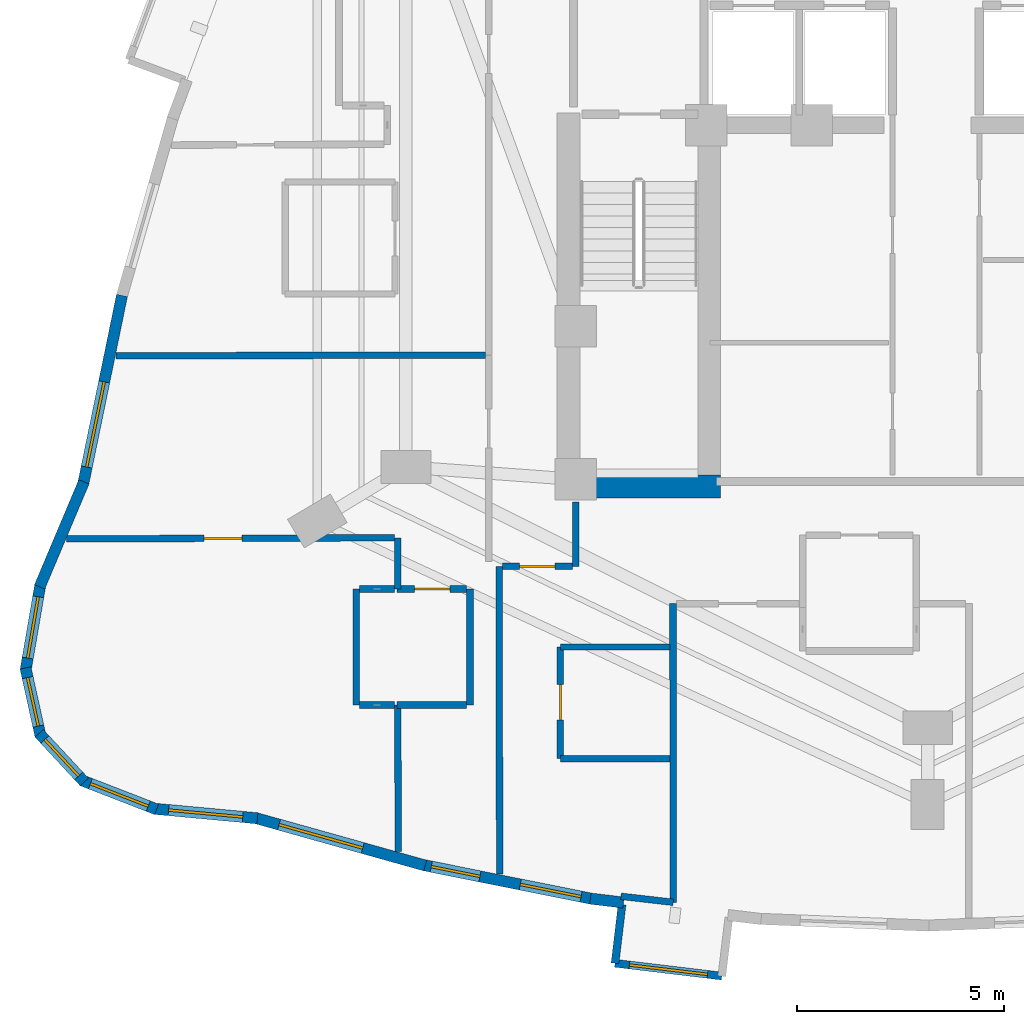
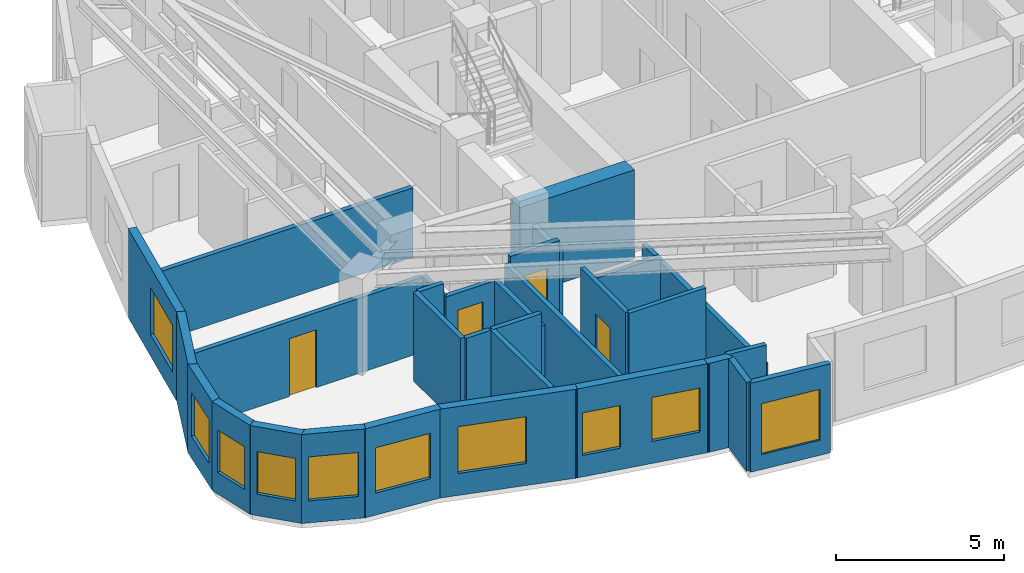
# One storey, part 8 of 14: 31 walls, 10 windows, 4 doors, 14 openings.
"""IFC4 building model written with IfcOpenShell, lengths in metres."""

import ifcopenshell
import ifcopenshell.guid

model = None  # the IFC model being written
_history = None  # IfcOwnerHistory: only IFC2X3 demands one
_inside = {}  # id of a spatial element -> (the spatial element, [elements in it])
_under = {}  # id of a project, library or spatial element -> (it, [spatial elements below it])
_declared = {}  # id of a project -> (the project, [libraries it declares])
_typed = {}  # id of a type object -> (the type object, [elements of that type])
_made_of = {}  # id of a material, layer set ... -> (it, [elements and type objects made of it])


def new_model(schema):
    """Start an empty IFC model of exactly this schema.

    Asked for "IFC4X3", IfcOpenShell would pick the latest addendum, in which some entities
    have other attributes; the version numbers below select the first issue.
    IFC2X3 requires an IfcOwnerHistory on every rooted entity: one is made here for all.
    """
    global model, _history
    if schema == "IFC4X3":
        model = ifcopenshell.file(schema_version=(4, 3, 0, 0))
    else:
        model = ifcopenshell.file(schema=schema)
    _inside.clear()
    _under.clear()
    _declared.clear()
    _typed.clear()
    _made_of.clear()
    _history = None
    if model.schema == "IFC2X3":
        org = make("IfcOrganization", Name="unknown")
        user = make(
            "IfcPersonAndOrganization",
            ThePerson=make("IfcPerson", FamilyName="unknown"),
            TheOrganization=org,
        )
        app = make(
            "IfcApplication",
            ApplicationDeveloper=org,
            Version="unknown",
            ApplicationFullName="unknown",
            ApplicationIdentifier="unknown",
        )
        _history = make(
            "IfcOwnerHistory",
            OwningUser=user,
            OwningApplication=app,
            ChangeAction="ADDED",
            CreationDate=0,
        )
    return model


def make(cls, **values):
    """One entity of the class cls with the attributes given. An attribute that is None is left unset."""
    return model.create_entity(
        cls, **{name: value for name, value in values.items() if value is not None}
    )


def rooted(cls, **values):
    """An entity with a GlobalId (a new one), such as an element, a storey or a relation."""
    return make(cls, GlobalId=ifcopenshell.guid.new(), OwnerHistory=_history, **values)


def si_unit(unit_type, name, prefix=None):
    """IfcSIUnit, for example si_unit("LENGTHUNIT", "METRE", prefix="MILLI")."""
    return make("IfcSIUnit", UnitType=unit_type, Prefix=prefix, Name=name)


def assignment(units):
    """IfcUnitAssignment: the units of a project."""
    return None if units is None else make("IfcUnitAssignment", Units=units)


def point(xyz):
    """IfcCartesianPoint."""
    return None if xyz is None else make("IfcCartesianPoint", Coordinates=xyz)


def direction(xyz):
    """IfcDirection."""
    return None if xyz is None else make("IfcDirection", DirectionRatios=xyz)


def frame(location, z_axis=None, x_axis=None):
    """IfcAxis2Placement3D, a coordinate frame: its origin and axes. An axis left out is left unset."""
    return make(
        "IfcAxis2Placement3D",
        Location=point(location),
        Axis=direction(z_axis),
        RefDirection=direction(x_axis),
    )


def frame_2d(location, x_axis=None):
    """IfcAxis2Placement2D, a coordinate frame in the plane: its origin and x axis."""
    return make(
        "IfcAxis2Placement2D", Location=point(location), RefDirection=direction(x_axis)
    )


def origin():
    """The frame at (0, 0, 0) with its axes left unset."""
    return frame((0.0, 0.0, 0.0))


def place(relative_to, where):
    """IfcLocalPlacement: puts the frame where relative to a parent placement (None: the world)."""
    return make(
        "IfcLocalPlacement", PlacementRelTo=relative_to, RelativePlacement=where
    )


def context(
    kind, dimensions, precision=None, world=None, true_north=None, identifier=None
):
    """IfcGeometricRepresentationContext, for example the 3D "Model" context."""
    return make(
        "IfcGeometricRepresentationContext",
        ContextIdentifier=identifier,
        ContextType=kind,
        CoordinateSpaceDimension=dimensions,
        Precision=precision,
        WorldCoordinateSystem=world,
        TrueNorth=true_north,
    )


def subcontext(parent, identifier, kind, view, scale=None):
    """IfcGeometricRepresentationSubContext, for example "Body" below "Model"."""
    return make(
        "IfcGeometricRepresentationSubContext",
        ContextIdentifier=identifier,
        ContextType=kind,
        ParentContext=parent,
        TargetScale=scale,
        TargetView=view,
    )


def project(units=None, contexts=None):
    """IfcProject with its units and contexts."""
    return rooted(
        "IfcProject",
        Name="project",
        RepresentationContexts=contexts,
        UnitsInContext=assignment(units),
    )


def spatial(cls, under=None, at=None, **own):
    """A site, building, storey or space (cls), placed at a placement, below another one or the project."""
    s = rooted(cls, ObjectPlacement=at, **own)
    if under is not None:
        _under.setdefault(under.id(), (under, []))[1].append(s)
    return s


def profile(cls, at=None, kind="AREA", **sizes):
    """A parametric profile (cls). Its sizes go by their IFC names, for example OverallWidth=200.0."""
    return make(cls, ProfileType=kind, Position=at, **sizes)


def rectangle(**sizes):
    """IfcRectangleProfileDef."""
    return profile("IfcRectangleProfileDef", **sizes)


def extrude(swept, where, along, depth):
    """IfcExtrudedAreaSolid: the profile swept, set in the frame where, extruded along a direction by depth."""
    return make(
        "IfcExtrudedAreaSolid",
        SweptArea=swept,
        Position=where,
        ExtrudedDirection=direction(along),
        Depth=depth,
    )


def shape(context_of_items, identifier, shape_type, items):
    """IfcShapeRepresentation: the items that make up one representation, for example the "Body"."""
    return make(
        "IfcShapeRepresentation",
        ContextOfItems=context_of_items,
        RepresentationIdentifier=identifier,
        RepresentationType=shape_type,
        Items=items,
    )


def material(Name=None, Category=None):
    """IfcMaterial."""
    return make("IfcMaterial", Name=Name, Category=Category)


def layer(
    of_material, thickness, ventilated=None, Name=None, Category=None, Priority=None
):
    """IfcMaterialLayer: one layer of a wall or slab, of a material (None: an air gap)."""
    return make(
        "IfcMaterialLayer",
        Material=of_material,
        LayerThickness=thickness,
        IsVentilated=ventilated,
        Name=Name,
        Category=Category,
        Priority=Priority,
    )


def layer_set(layers, Name=None):
    """IfcMaterialLayerSet."""
    return make("IfcMaterialLayerSet", MaterialLayers=layers, LayerSetName=Name)


def made_of(thing, what):
    """Note that an element or type object is made of a material, layer set ...; save() writes the relation."""
    if what is not None:
        _made_of.setdefault(what.id(), (what, []))[1].append(thing)
    return thing


def type_object(cls, material=None, **own):
    """A type object (cls), such as IfcWallType, which elements share."""
    return made_of(rooted(cls, **own), material)


def element(
    cls,
    number,
    at=None,
    inside=None,
    cuts=None,
    type_object=None,
    material=None,
    context=None,
    identifier="Body",
    shape_type=None,
    held_by="IfcProductDefinitionShape",
    body=None,
    shapes=None,
    **own,
):
    """One element of the class cls, such as IfcWall. Its Tag is "e" and its number.

    at: its placement. inside: the storey or other place that contains it. cuts: it is an
    opening in that element (IfcRelVoidsElement). A single representation is given by context,
    identifier, shape_type and body (its items); several are given by shapes. held_by: the class
    of the entity that holds the representations. save() writes the other relations.
    """
    e = rooted(cls, Tag="e%d" % number, ObjectPlacement=at, **own)
    if body is not None:
        shapes = [shape(context, identifier, shape_type, body)]
    if shapes is not None:
        e.Representation = make(held_by, Representations=shapes)
    if inside is not None:
        _inside.setdefault(inside.id(), (inside, []))[1].append(e)
    if cuts is not None:
        rooted(
            "IfcRelVoidsElement", RelatingBuildingElement=cuts, RelatedOpeningElement=e
        )
    if type_object is not None:
        _typed.setdefault(type_object.id(), (type_object, []))[1].append(e)
    return made_of(e, material)


def fill(opening, filler):
    """IfcRelFillsElement: the door or window that sits in an opening."""
    return rooted(
        "IfcRelFillsElement",
        RelatingOpeningElement=opening,
        RelatedBuildingElement=filler,
    )


def aggregate(whole, parts):
    """IfcRelAggregates: a whole, such as a stair, and the parts it consists of."""
    return rooted("IfcRelAggregates", RelatingObject=whole, RelatedObjects=parts)


def save(model, path):
    """Write the relations noted so far, then the file.

    IfcRelAggregates (storeys below a building ...), IfcRelContainedInSpatialStructure (elements
    in a storey), IfcRelDefinesByType, IfcRelAssociatesMaterial and IfcRelDeclares: one each for
    every whole, place, type object, material and project.
    """
    for whole, parts in _under.values():
        aggregate(whole, parts)
    for where, things in _inside.values():
        rooted(
            "IfcRelContainedInSpatialStructure",
            RelatedElements=things,
            RelatingStructure=where,
        )
    for kind, things in _typed.values():
        rooted("IfcRelDefinesByType", RelatedObjects=things, RelatingType=kind)
    for what, things in _made_of.values():
        rooted("IfcRelAssociatesMaterial", RelatedObjects=things, RelatingMaterial=what)
    for by, libraries in _declared.values():
        rooted("IfcRelDeclares", RelatingContext=by, RelatedDefinitions=libraries)
    model.write(path)


model = new_model("IFC4")

# Units and contexts
model_context = context("Model", 3, precision=1e-05, world=origin(), true_north=direction((0.0, 1.0)))
body_context = subcontext(model_context, "Body", "Model", "MODEL_VIEW")
ifc_project = project(units=[si_unit("LENGTHUNIT", "METRE"), si_unit("AREAUNIT", "SQUARE_METRE"), si_unit("VOLUMEUNIT", "CUBIC_METRE"), si_unit("PLANEANGLEUNIT", "RADIAN"), si_unit("MASSUNIT", "GRAM", prefix="KILO")], contexts=[model_context])

# Site, building, storey
site_placement = place(None, origin())
site = spatial("IfcSite", under=ifc_project, at=site_placement, CompositionType="ELEMENT")
building_placement = place(site_placement, origin())
building = spatial("IfcBuilding", under=site, at=building_placement, Name="Miruveldt Soraemaru", CompositionType="ELEMENT")
storey_placement = place(building_placement, frame((0.0, 0.0, 131.89990234375)))
storey = spatial("IfcBuildingStorey", under=building, at=storey_placement, Name="L36", CompositionType="ELEMENT", Elevation=131.89990234375)

# Wall
ifc_material_1 = material(Name="White powder-coated aluminium EN AW-6060 T6", Category="aluminium")
ifc_layer_1 = layer(ifc_material_1, 0.18994140625, Name="White powder-coated aluminium EN AW-6060 T6", Category="aluminium")
ifc_layer_set_1 = layer_set([ifc_layer_1], Name="White powder-coated aluminium EN AW-6060 T6")
wall_type_1 = type_object("IfcWallType", Name="WALL-BAY-ALU190", PredefinedType="SOLIDWALL", material=ifc_layer_set_1)
wall_1_placement = place(storey_placement, frame((36.619873046875, 25.2275390625, 0.0), z_axis=(0.0, 0.0, 1.0), x_axis=(-0.119077659317, -0.992884943511, 0.0)))
element("IfcWall", 1, at=wall_1_placement, inside=storey, type_object=wall_type_1, Name="L36 Bay Window Side Cheek 3L", PredefinedType="SOLIDWALL", context=body_context, shape_type="SweptSolid", body=[
    extrude(rectangle(XDim=1.425048828125, YDim=0.18994140625, at=frame_2d((0.71240234375, 0.0))), origin(), (0.0, 0.0, 1.0), 3.235107421875),
])

# Wall, opening, window
wall_2_placement = place(storey_placement, frame((36.4501953125, 23.812744140625, 0.0), z_axis=(0.0, 0.0, 1.0), x_axis=(0.992874172121, -0.119167438232, 0.0)))
wall_2 = element("IfcWall", 2, at=wall_2_placement, inside=storey, type_object=wall_type_1, Name="L36 Bay Window Front Frame 3", PredefinedType="SOLIDWALL", context=body_context, shape_type="SweptSolid", body=[
    extrude(rectangle(XDim=2.599853515625, YDim=0.18994140625, at=frame_2d((1.2998046875, 0.0))), origin(), (0.0, 0.0, 1.0), 3.235107421875),
])
opening_1_placement = place(wall_2_placement, frame((0.35009765625, 0.0, 0.550048828125)))
opening_1 = element("IfcOpeningElement", 3, at=opening_1_placement, cuts=wall_2, Name="Opening WN-6", PredefinedType="OPENING", context=body_context, shape_type="SweptSolid", body=[
    extrude(rectangle(XDim=1.89990234375, YDim=1.85009765625, at=frame_2d((0.949951171875, 0.925048828125))), frame((0.0, 0.10498046875, 0.0), z_axis=(0.0, -1.0, 0.0), x_axis=(1.0, 0.0, 0.0)), (0.0, 0.0, 1.0), 0.2099609375),
])
ifc_material_2 = material(Name="Triple low-e insulated glazing", Category="glass")
window_type_1 = type_object("IfcWindowType", Name="WIN-BAYW-1900x1850", PartitioningType="SINGLE_PANEL", PredefinedType="WINDOW", material=ifc_material_2)
window_1_placement = place(opening_1_placement, origin())
window_1 = element("IfcWindow", 4, at=window_1_placement, inside=storey, type_object=window_type_1, Name="L36 Projecting Bay Window 3", OverallHeight=1.85009765625, OverallWidth=1.89990234375, PartitioningType="SINGLE_PANEL", PredefinedType="WINDOW", context=body_context, shape_type="SweptSolid", body=[
    extrude(rectangle(XDim=1.89990234375, YDim=1.85009765625, at=frame_2d((0.949951171875, 0.925048828125))), frame((0.0, 0.030029296875, 0.0), z_axis=(0.0, -1.0, 0.0), x_axis=(1.0, 0.0, 0.0)), (0.0, 0.0, 1.0), 0.06005859375),
])
fill(opening_1, window_1)

# Wall
ifc_material_3 = material(Name="Concrete C70/85 (70 MPa)", Category="concrete")
ifc_layer_2 = layer(ifc_material_3, 0.550048828125, Name="Concrete C70/85 (70 MPa)", Category="concrete")
ifc_layer_set_2 = layer_set([ifc_layer_2], Name="Concrete C70/85 (70 MPa)")
wall_type_2 = type_object("IfcWallType", Name="WALL-CW-550", PredefinedType="SHEAR", material=ifc_layer_set_2)
wall_3_placement = place(storey_placement, frame((35.050048828125, 35.324951171875, 0.0), z_axis=(0.0, 0.0, 1.0), x_axis=(1.0, 0.0, 0.0)))
element("IfcWall", 5, at=wall_3_placement, inside=storey, type_object=wall_type_2, Name="L36 Central Core Shear Wall S1", PredefinedType="SHEAR", context=body_context, shape_type="SweptSolid", body=[
    extrude(rectangle(XDim=3.949951171875, YDim=0.550048828125, at=frame_2d((1.97509765625, 0.0))), origin(), (0.0, 0.0, 1.0), 3.235107421875),
])

# Wall, opening, window
ifc_material_4 = material(Name="Precast concrete C45/55 (45 MPa)", Category="concrete")
ifc_layer_3 = layer(ifc_material_4, 0.27001953125, Name="Precast concrete C45/55 (45 MPa)", Category="concrete")
ifc_layer_set_3 = layer_set([ifc_layer_3], Name="Precast concrete C45/55 (45 MPa)")
wall_type_3 = type_object("IfcWallType", Name="WALL-EXT-PC270", PredefinedType="SOLIDWALL", material=ifc_layer_set_3)
wall_4_placement = place(storey_placement, frame((24.541748046875, 39.943359375, 0.0), z_axis=(0.0, 0.0, 1.0), x_axis=(-0.201567284441, -0.979474670343, 0.0)))
wall_4 = element("IfcWall", 6, at=wall_4_placement, inside=storey, type_object=wall_type_3, Name="L36 Precast Concrete Facade Wall 14", PredefinedType="SOLIDWALL", context=body_context, shape_type="SweptSolid", body=[
    extrude(rectangle(XDim=4.66552734375, YDim=0.27001953125, at=frame_2d((2.332763671875, 0.0))), origin(), (0.0, 0.0, 1.0), 3.235107421875),
])
opening_2_placement = place(wall_4_placement, frame((2.131103515625, 0.0, 0.800048828125)))
opening_2 = element("IfcOpeningElement", 7, at=opening_2_placement, cuts=wall_4, Name="Opening WN-1", PredefinedType="OPENING", context=body_context, shape_type="SweptSolid", body=[
    extrude(rectangle(XDim=2.10009765625, YDim=1.699951171875, at=frame_2d((1.050048828125, 0.85009765625))), frame((0.0, 0.14501953125, 0.0), z_axis=(0.0, -1.0, 0.0), x_axis=(1.0, 0.0, 0.0)), (0.0, 0.0, 1.0), 0.2900390625),
])
window_type_2 = type_object("IfcWindowType", Name="WIN-PUNCH-2100x1700", PartitioningType="SINGLE_PANEL", PredefinedType="WINDOW", material=ifc_material_2)
window_2_placement = place(opening_2_placement, origin())
window_2 = element("IfcWindow", 8, at=window_2_placement, inside=storey, type_object=window_type_2, Name="L36 Punched Triple-Glazed Window 14.1", OverallHeight=1.699951171875, OverallWidth=2.10009765625, PartitioningType="SINGLE_PANEL", PredefinedType="WINDOW", context=body_context, shape_type="SweptSolid", body=[
    extrude(rectangle(XDim=2.10009765625, YDim=1.699951171875, at=frame_2d((1.050048828125, 0.85009765625))), frame((0.0, 0.030029296875, 0.0), z_axis=(0.0, -1.0, 0.0), x_axis=(1.0, 0.0, 0.0)), (0.0, 0.0, 1.0), 0.06005859375),
])
fill(opening_2, window_2)

# Wall
wall_5_placement = place(storey_placement, frame((23.621826171875, 35.440185546875, 0.0), z_axis=(0.0, 0.0, 1.0), x_axis=(-0.388604046784, -0.921404848491, 0.0)))
element("IfcWall", 9, at=wall_5_placement, inside=storey, type_object=wall_type_3, Name="L36 Precast Concrete Facade Wall 15", PredefinedType="SOLIDWALL", context=body_context, shape_type="SweptSolid", body=[
    extrude(rectangle(XDim=2.7529296875, YDim=0.27001953125, at=frame_2d((1.37646484375, 0.0))), origin(), (0.0, 0.0, 1.0), 3.235107421875),
])

# Wall, opening, window
wall_6_placement = place(storey_placement, frame((22.571533203125, 32.97021484375, 0.0), z_axis=(0.0, 0.0, 1.0), x_axis=(-0.169321385443, -0.985560890271, 0.0)))
wall_6 = element("IfcWall", 10, at=wall_6_placement, inside=storey, type_object=wall_type_3, Name="L36 Precast Concrete Facade Wall 16", PredefinedType="SOLIDWALL", context=body_context, shape_type="SweptSolid", body=[
    extrude(rectangle(XDim=2.12255859375, YDim=0.27001953125, at=frame_2d((1.061279296875, 0.0))), origin(), (0.0, 0.0, 1.0), 3.235107421875),
])
opening_3_placement = place(wall_6_placement, frame((0.31103515625, 0.0, 0.800048828125)))
opening_3 = element("IfcOpeningElement", 11, at=opening_3_placement, cuts=wall_6, Name="Opening WN-3", PredefinedType="OPENING", context=body_context, shape_type="SweptSolid", body=[
    extrude(rectangle(XDim=1.5, YDim=1.60009765625, at=frame_2d((0.75, 0.800048828125))), frame((0.0, 0.14501953125, 0.0), z_axis=(0.0, -1.0, 0.0), x_axis=(1.0, 0.0, 0.0)), (0.0, 0.0, 1.0), 0.2900390625),
])
window_type_3 = type_object("IfcWindowType", Name="WIN-PUNCH-1500x1600", PartitioningType="SINGLE_PANEL", PredefinedType="WINDOW", material=ifc_material_2)
window_3_placement = place(opening_3_placement, origin())
window_3 = element("IfcWindow", 12, at=window_3_placement, inside=storey, type_object=window_type_3, Name="L36 Punched Triple-Glazed Window 16.1", OverallHeight=1.60009765625, OverallWidth=1.5, PartitioningType="SINGLE_PANEL", PredefinedType="WINDOW", context=body_context, shape_type="SweptSolid", body=[
    extrude(rectangle(XDim=1.5, YDim=1.60009765625, at=frame_2d((0.75, 0.800048828125))), frame((0.0, 0.030029296875, 0.0), z_axis=(0.0, -1.0, 0.0), x_axis=(1.0, 0.0, 0.0)), (0.0, 0.0, 1.0), 0.06005859375),
])
fill(opening_3, window_3)

wall_7_placement = place(storey_placement, frame((22.210693359375, 30.947265625, 0.0), z_axis=(0.0, 0.0, 1.0), x_axis=(0.215515556799, -0.976500406952, 0.0)))
wall_7 = element("IfcWall", 13, at=wall_7_placement, inside=storey, type_object=wall_type_3, Name="L36 Precast Concrete Facade Wall 17", PredefinedType="SOLIDWALL", context=body_context, shape_type="SweptSolid", body=[
    extrude(rectangle(XDim=1.68115234375, YDim=0.27001953125, at=frame_2d((0.840576171875, 0.0))), origin(), (0.0, 0.0, 1.0), 3.235107421875),
])
opening_4_placement = place(wall_7_placement, frame((0.239990234375, 0.0, 0.780029296875)))
opening_4 = element("IfcOpeningElement", 14, at=opening_4_placement, cuts=wall_7, Name="Opening WN-4", PredefinedType="OPENING", context=body_context, shape_type="SweptSolid", body=[
    extrude(rectangle(XDim=1.199951171875, YDim=1.550048828125, at=frame_2d((0.60009765625, 0.77490234375))), frame((0.0, 0.14501953125, 0.0), z_axis=(0.0, -1.0, 0.0), x_axis=(1.0, 0.0, 0.0)), (0.0, 0.0, 1.0), 0.2900390625),
])
window_type_4 = type_object("IfcWindowType", Name="WIN-PUNCH-1200x1550", PartitioningType="SINGLE_PANEL", PredefinedType="WINDOW", material=ifc_material_2)
window_4_placement = place(opening_4_placement, origin())
window_4 = element("IfcWindow", 15, at=window_4_placement, inside=storey, type_object=window_type_4, Name="L36 Punched Triple-Glazed Window 17.1", OverallHeight=1.550048828125, OverallWidth=1.199951171875, PartitioningType="SINGLE_PANEL", PredefinedType="WINDOW", context=body_context, shape_type="SweptSolid", body=[
    extrude(rectangle(XDim=1.199951171875, YDim=1.550048828125, at=frame_2d((0.60009765625, 0.77490234375))), frame((0.0, 0.030029296875, 0.0), z_axis=(0.0, -1.0, 0.0), x_axis=(1.0, 0.0, 0.0)), (0.0, 0.0, 1.0), 0.06005859375),
])
fill(opening_4, window_4)

wall_8_placement = place(storey_placement, frame((22.541748046875, 29.365478515625, 0.0), z_axis=(0.0, 0.0, 1.0), x_axis=(0.680188175281, -0.733037547611, 0.0)))
wall_8 = element("IfcWall", 16, at=wall_8_placement, inside=storey, type_object=wall_type_3, Name="L36 Precast Concrete Facade Wall 18", PredefinedType="SOLIDWALL", context=body_context, shape_type="SweptSolid", body=[
    extrude(rectangle(XDim=1.60302734375, YDim=0.27001953125, at=frame_2d((0.801513671875, 0.0))), origin(), (0.0, 0.0, 1.0), 3.235107421875),
])
opening_5_placement = place(wall_8_placement, frame((0.201904296875, 0.0, 0.780029296875)))
opening_5 = element("IfcOpeningElement", 17, at=opening_5_placement, cuts=wall_8, Name="Opening WN-4", PredefinedType="OPENING", context=body_context, shape_type="SweptSolid", body=[
    extrude(rectangle(XDim=1.199951171875, YDim=1.550048828125, at=frame_2d((0.60009765625, 0.77490234375))), frame((0.0, 0.14501953125, 0.0), z_axis=(0.0, -1.0, 0.0), x_axis=(1.0, 0.0, 0.0)), (0.0, 0.0, 1.0), 0.2900390625),
])
window_5_placement = place(opening_5_placement, origin())
window_5 = element("IfcWindow", 18, at=window_5_placement, inside=storey, type_object=window_type_4, Name="L36 Punched Triple-Glazed Window 18.1", OverallHeight=1.550048828125, OverallWidth=1.199951171875, PartitioningType="SINGLE_PANEL", PredefinedType="WINDOW", context=body_context, shape_type="SweptSolid", body=[
    extrude(rectangle(XDim=1.199951171875, YDim=1.550048828125, at=frame_2d((0.60009765625, 0.77490234375))), frame((0.0, 0.030029296875, 0.0), z_axis=(0.0, -1.0, 0.0), x_axis=(1.0, 0.0, 0.0)), (0.0, 0.0, 1.0), 0.06005859375),
])
fill(opening_5, window_5)

wall_9_placement = place(storey_placement, frame((23.57568359375, 28.228759765625, 0.0), z_axis=(0.0, 0.0, 1.0), x_axis=(0.932300505595, -0.361684624039, 0.0)))
wall_9 = element("IfcWall", 19, at=wall_9_placement, inside=storey, type_object=wall_type_3, Name="L36 Precast Concrete Facade Wall 19", PredefinedType="SOLIDWALL", context=body_context, shape_type="SweptSolid", body=[
    extrude(rectangle(XDim=1.933837890625, YDim=0.27001953125, at=frame_2d((0.966796875, 0.0))), origin(), (0.0, 0.0, 1.0), 3.235107421875),
])
opening_6_placement = place(wall_9_placement, frame((0.217041015625, 0.0, 0.800048828125)))
opening_6 = element("IfcOpeningElement", 20, at=opening_6_placement, cuts=wall_9, Name="Opening WN-3", PredefinedType="OPENING", context=body_context, shape_type="SweptSolid", body=[
    extrude(rectangle(XDim=1.5, YDim=1.60009765625, at=frame_2d((0.75, 0.800048828125))), frame((0.0, 0.14501953125, 0.0), z_axis=(0.0, -1.0, 0.0), x_axis=(1.0, 0.0, 0.0)), (0.0, 0.0, 1.0), 0.2900390625),
])
window_6_placement = place(opening_6_placement, origin())
window_6 = element("IfcWindow", 21, at=window_6_placement, inside=storey, type_object=window_type_3, Name="L36 Punched Triple-Glazed Window 19.1", OverallHeight=1.60009765625, OverallWidth=1.5, PartitioningType="SINGLE_PANEL", PredefinedType="WINDOW", context=body_context, shape_type="SweptSolid", body=[
    extrude(rectangle(XDim=1.5, YDim=1.60009765625, at=frame_2d((0.75, 0.800048828125))), frame((0.0, 0.030029296875, 0.0), z_axis=(0.0, -1.0, 0.0), x_axis=(1.0, 0.0, 0.0)), (0.0, 0.0, 1.0), 0.06005859375),
])
fill(opening_6, window_6)

wall_10_placement = place(storey_placement, frame((25.311279296875, 27.545166015625, 0.0), z_axis=(0.0, 0.0, 1.0), x_axis=(0.995759974065, -0.091989532284, 0.0)))
wall_10 = element("IfcWall", 22, at=wall_10_placement, inside=storey, type_object=wall_type_3, Name="L36 Precast Concrete Facade Wall 20", PredefinedType="SOLIDWALL", context=body_context, shape_type="SweptSolid", body=[
    extrude(rectangle(XDim=2.513427734375, YDim=0.27001953125, at=frame_2d((1.2568359375, 0.0))), origin(), (0.0, 0.0, 1.0), 3.235107421875),
])
opening_7_placement = place(wall_10_placement, frame((0.35693359375, 0.0, 0.800048828125)))
opening_7 = element("IfcOpeningElement", 23, at=opening_7_placement, cuts=wall_10, Name="Opening WN-2", PredefinedType="OPENING", context=body_context, shape_type="SweptSolid", body=[
    extrude(rectangle(XDim=1.800048828125, YDim=1.64990234375, at=frame_2d((0.89990234375, 0.824951171875))), frame((0.0, 0.14501953125, 0.0), z_axis=(0.0, -1.0, 0.0), x_axis=(1.0, 0.0, 0.0)), (0.0, 0.0, 1.0), 0.2900390625),
])
window_type_5 = type_object("IfcWindowType", Name="WIN-PUNCH-1800x1650", PartitioningType="SINGLE_PANEL", PredefinedType="WINDOW", material=ifc_material_2)
window_7_placement = place(opening_7_placement, origin())
window_7 = element("IfcWindow", 24, at=window_7_placement, inside=storey, type_object=window_type_5, Name="L36 Punched Triple-Glazed Window 20.1", OverallHeight=1.64990234375, OverallWidth=1.800048828125, PartitioningType="SINGLE_PANEL", PredefinedType="WINDOW", context=body_context, shape_type="SweptSolid", body=[
    extrude(rectangle(XDim=1.800048828125, YDim=1.64990234375, at=frame_2d((0.89990234375, 0.824951171875))), frame((0.0, 0.030029296875, 0.0), z_axis=(0.0, -1.0, 0.0), x_axis=(1.0, 0.0, 0.0)), (0.0, 0.0, 1.0), 0.06005859375),
])
fill(opening_7, window_7)

wall_11_placement = place(storey_placement, frame((27.745361328125, 27.32666015625, 0.0), z_axis=(0.0, 0.0, 1.0), x_axis=(0.962965204251, -0.269625694996, 0.0)))
wall_11 = element("IfcWall", 25, at=wall_11_placement, inside=storey, type_object=wall_type_3, Name="L36 Precast Concrete Facade Wall 21", PredefinedType="SOLIDWALL", context=body_context, shape_type="SweptSolid", body=[
    extrude(rectangle(XDim=4.281005859375, YDim=0.27001953125, at=frame_2d((2.140625, 0.0))), origin(), (0.0, 0.0, 1.0), 3.235107421875),
])
opening_8_placement = place(wall_11_placement, frame((0.613037109375, 0.0, 0.800048828125)))
opening_8 = element("IfcOpeningElement", 26, at=opening_8_placement, cuts=wall_11, Name="Opening WN-1", PredefinedType="OPENING", context=body_context, shape_type="SweptSolid", body=[
    extrude(rectangle(XDim=2.10009765625, YDim=1.699951171875, at=frame_2d((1.050048828125, 0.85009765625))), frame((0.0, 0.14501953125, 0.0), z_axis=(0.0, -1.0, 0.0), x_axis=(1.0, 0.0, 0.0)), (0.0, 0.0, 1.0), 0.2900390625),
])
window_8_placement = place(opening_8_placement, origin())
window_8 = element("IfcWindow", 27, at=window_8_placement, inside=storey, type_object=window_type_2, Name="L36 Punched Triple-Glazed Window 21.1", OverallHeight=1.699951171875, OverallWidth=2.10009765625, PartitioningType="SINGLE_PANEL", PredefinedType="WINDOW", context=body_context, shape_type="SweptSolid", body=[
    extrude(rectangle(XDim=2.10009765625, YDim=1.699951171875, at=frame_2d((1.050048828125, 0.85009765625))), frame((0.0, 0.030029296875, 0.0), z_axis=(0.0, -1.0, 0.0), x_axis=(1.0, 0.0, 0.0)), (0.0, 0.0, 1.0), 0.06005859375),
])
fill(opening_8, window_8)

# Wall, openings, windows
wall_12_placement = place(storey_placement, frame((31.800048828125, 26.188720703125, 0.0), z_axis=(0.0, 0.0, 1.0), x_axis=(0.980571743457, -0.196160791021, 0.0)))
wall_12 = element("IfcWall", 28, at=wall_12_placement, inside=storey, type_object=wall_type_3, Name="L36 Precast Concrete Facade Wall 22", PredefinedType="SOLIDWALL", context=body_context, shape_type="SweptSolid", body=[
    extrude(rectangle(XDim=4.20556640625, YDim=0.27001953125, at=frame_2d((2.102783203125, 0.0))), origin(), (0.0, 0.0, 1.0), 3.235107421875),
])
opening_9_placement = place(wall_12_placement, frame((0.216064453125, 0.0, 0.780029296875)))
opening_9 = element("IfcOpeningElement", 29, at=opening_9_placement, cuts=wall_12, Name="Opening WN-4", PredefinedType="OPENING", context=body_context, shape_type="SweptSolid", body=[
    extrude(rectangle(XDim=1.199951171875, YDim=1.550048828125, at=frame_2d((0.60009765625, 0.77490234375))), frame((0.0, 0.14501953125, 0.0), z_axis=(0.0, -1.0, 0.0), x_axis=(1.0, 0.0, 0.0)), (0.0, 0.0, 1.0), 0.2900390625),
])
opening_10_placement = place(wall_12_placement, frame((2.407958984375, 0.0, 0.800048828125)))
opening_10 = element("IfcOpeningElement", 30, at=opening_10_placement, cuts=wall_12, Name="Opening WN-3", PredefinedType="OPENING", context=body_context, shape_type="SweptSolid", body=[
    extrude(rectangle(XDim=1.5, YDim=1.60009765625, at=frame_2d((0.75, 0.800048828125))), frame((0.0, 0.14501953125, 0.0), z_axis=(0.0, -1.0, 0.0), x_axis=(1.0, 0.0, 0.0)), (0.0, 0.0, 1.0), 0.2900390625),
])
window_9_placement = place(opening_9_placement, origin())
window_9 = element("IfcWindow", 31, at=window_9_placement, inside=storey, type_object=window_type_4, Name="L36 Punched Triple-Glazed Window 22.1", OverallHeight=1.550048828125, OverallWidth=1.199951171875, PartitioningType="SINGLE_PANEL", PredefinedType="WINDOW", context=body_context, shape_type="SweptSolid", body=[
    extrude(rectangle(XDim=1.199951171875, YDim=1.550048828125, at=frame_2d((0.60009765625, 0.77490234375))), frame((0.0, 0.030029296875, 0.0), z_axis=(0.0, -1.0, 0.0), x_axis=(1.0, 0.0, 0.0)), (0.0, 0.0, 1.0), 0.06005859375),
])
fill(opening_9, window_9)
window_10_placement = place(opening_10_placement, origin())
window_10 = element("IfcWindow", 32, at=window_10_placement, inside=storey, type_object=window_type_3, Name="L36 Punched Triple-Glazed Window 22.2", OverallHeight=1.60009765625, OverallWidth=1.5, PartitioningType="SINGLE_PANEL", PredefinedType="WINDOW", context=body_context, shape_type="SweptSolid", body=[
    extrude(rectangle(XDim=1.5, YDim=1.60009765625, at=frame_2d((0.75, 0.800048828125))), frame((0.0, 0.030029296875, 0.0), z_axis=(0.0, -1.0, 0.0), x_axis=(1.0, 0.0, 0.0)), (0.0, 0.0, 1.0), 0.06005859375),
])
fill(opening_10, window_10)

# Wall
wall_13_placement = place(storey_placement, frame((35.854736328125, 25.374755859375, 0.0), z_axis=(0.0, 0.0, 1.0), x_axis=(0.992875407362, -0.119157146056, 0.0)))
element("IfcWall", 33, at=wall_13_placement, inside=storey, type_object=wall_type_3, Name="L36 Precast Pier Wall 23A", PredefinedType="SOLIDWALL", context=body_context, shape_type="SweptSolid", body=[
    extrude(rectangle(XDim=0.807373046875, YDim=0.27001953125, at=frame_2d((0.40380859375, 0.0))), origin(), (0.0, 0.0, 1.0), 3.235107421875),
])

# Wall, opening, door
ifc_material_5 = material(Name="Gypsum plasterboard lining", Category="gypsum")
ifc_layer_4 = layer(ifc_material_5, 0.14990234375, Name="Gypsum plasterboard lining", Category="gypsum")
ifc_layer_set_4 = layer_set([ifc_layer_4], Name="Gypsum plasterboard lining")
wall_type_4 = type_object("IfcWallType", Name="WALL-INT-PLUMB", PredefinedType="PLUMBINGWALL", material=ifc_layer_set_4)
wall_14_placement = place(storey_placement, frame((35.1298828125, 31.4541015625, 0.0), z_axis=(0.0, 0.0, 1.0), x_axis=(0.0, -1.0, 0.0)))
wall_14 = element("IfcWall", 34, at=wall_14_placement, inside=storey, type_object=wall_type_4, Name="L36 Partition Wall 71", PredefinedType="PLUMBINGWALL", context=body_context, shape_type="SweptSolid", body=[
    extrude(rectangle(XDim=2.7001953125, YDim=0.14990234375, at=frame_2d((1.35009765625, 0.0))), origin(), (0.0, 0.0, 1.0), 3.235107421875),
])
opening_11_placement = place(wall_14_placement, frame((0.909912109375, 0.0, 0.0)))
opening_11 = element("IfcOpeningElement", 35, at=opening_11_placement, cuts=wall_14, Name="Opening FD3", PredefinedType="OPENING", context=body_context, shape_type="SweptSolid", body=[
    extrude(rectangle(XDim=0.85009765625, YDim=2.10009765625, at=frame_2d((0.425048828125, 1.050048828125))), frame((0.0, 0.0849609375, 0.0), z_axis=(0.0, -1.0, 0.0), x_axis=(1.0, 0.0, 0.0)), (0.0, 0.0, 1.0), 0.169921875),
])
ifc_material_6 = material(Name="Anodised aluminium EN AW-6063 T6", Category="aluminium")
door_type_1 = type_object("IfcDoorType", Name="DOOR-FD3-850", OperationType="NOTDEFINED", PredefinedType="DOOR", material=ifc_material_6)
door_1_placement = place(opening_11_placement, origin())
door_1 = element("IfcDoor", 36, at=door_1_placement, inside=storey, type_object=door_type_1, Name="L36 Unit 3608 BTH Door", OperationType="SINGLE_SWING_LEFT", OverallHeight=2.10009765625, OverallWidth=0.85009765625, PredefinedType="DOOR", context=body_context, shape_type="SweptSolid", body=[
    extrude(rectangle(XDim=0.85009765625, YDim=2.10009765625, at=frame_2d((0.425048828125, 1.050048828125))), frame((0.0, 0.02490234375, 0.0), z_axis=(0.0, -1.0, 0.0), x_axis=(1.0, 0.0, 0.0)), (0.0, 0.0, 1.0), 0.050048828125),
])
fill(opening_11, door_1)

# Walls
wall_15_placement = place(storey_placement, frame((37.780029296875, 31.4541015625, 0.0), z_axis=(0.0, 0.0, 1.0), x_axis=(-1.0, 0.0, 0.0)))
element("IfcWall", 37, at=wall_15_placement, inside=storey, type_object=wall_type_4, Name="L36 Partition Wall 70", PredefinedType="PLUMBINGWALL", context=body_context, shape_type="SweptSolid", body=[
    extrude(rectangle(XDim=2.650146484375, YDim=0.14990234375, at=frame_2d((1.3251953125, 0.0))), origin(), (0.0, 0.0, 1.0), 2.72314453125),
])
wall_16_placement = place(storey_placement, frame((35.1298828125, 28.75390625, 0.0), z_axis=(0.0, 0.0, 1.0), x_axis=(1.0, 0.0, 0.0)))
element("IfcWall", 38, at=wall_16_placement, inside=storey, type_object=wall_type_4, Name="L36 Partition Wall 72", PredefinedType="PLUMBINGWALL", context=body_context, shape_type="SweptSolid", body=[
    extrude(rectangle(XDim=2.650146484375, YDim=0.14990234375, at=frame_2d((1.3251953125, 0.0))), origin(), (0.0, 0.0, 1.0), 3.235107421875),
])

# Wall, opening, door
ifc_material_7 = material(Name="Concrete C40/50 (40 MPa)", Category="concrete")
ifc_layer_5 = layer(ifc_material_7, 0.159912109375, Name="Concrete C40/50 (40 MPa)", Category="concrete")
ifc_layer_set_5 = layer_set([ifc_layer_5], Name="Concrete C40/50 (40 MPa)")
wall_type_5 = type_object("IfcWallType", Name="WALL-INT-RC160", PredefinedType="SOLIDWALL", material=ifc_layer_set_5)
wall_17_placement = place(storey_placement, frame((23.2041015625, 34.06298828125, 0.0), z_axis=(0.0, 0.0, 1.0), x_axis=(0.999994140252, 0.003423370021, 0.0)))
wall_17 = element("IfcWall", 39, at=wall_17_placement, inside=storey, type_object=wall_type_5, Name="L36 Partition Wall 63", PredefinedType="SOLIDWALL", context=body_context, shape_type="SweptSolid", body=[
    extrude(rectangle(XDim=7.916015625, YDim=0.159912109375, at=frame_2d((3.9580078125, 0.0))), origin(), (0.0, 0.0, 1.0), 2.72314453125),
])
opening_12_placement = place(wall_17_placement, frame((3.318115234375, 0.0, 0.0)))
opening_12 = element("IfcOpeningElement", 40, at=opening_12_placement, cuts=wall_17, Name="Opening D3A", PredefinedType="OPENING", context=body_context, shape_type="SweptSolid", body=[
    extrude(rectangle(XDim=0.919921875, YDim=2.10009765625, at=frame_2d((0.4599609375, 1.050048828125))), frame((0.0, 0.08984375, 0.0), z_axis=(0.0, -1.0, 0.0), x_axis=(1.0, 0.0, 0.0)), (0.0, 0.0, 1.0), 0.179931640625),
])
door_type_2 = type_object("IfcDoorType", Name="DOOR-INT-920", OperationType="NOTDEFINED", PredefinedType="DOOR", material=ifc_material_6)
door_2_placement = place(opening_12_placement, origin())
door_2 = element("IfcDoor", 41, at=door_2_placement, inside=storey, type_object=door_type_2, Name="L36 Unit 3607 BD1 Door", OperationType="SINGLE_SWING_LEFT", OverallHeight=2.10009765625, OverallWidth=0.919921875, PredefinedType="DOOR", context=body_context, shape_type="SweptSolid", body=[
    extrude(rectangle(XDim=0.919921875, YDim=2.10009765625, at=frame_2d((0.4599609375, 1.050048828125))), frame((0.0, 0.02490234375, 0.0), z_axis=(0.0, -1.0, 0.0), x_axis=(1.0, 0.0, 0.0)), (0.0, 0.0, 1.0), 0.050048828125),
])
fill(opening_12, door_2)

wall_18_placement = place(storey_placement, frame((33.72998046875, 33.39990234375, 0.0), z_axis=(0.0, 0.0, 1.0), x_axis=(1.0, 0.0, 0.0)))
wall_18 = element("IfcWall", 42, at=wall_18_placement, inside=storey, type_object=wall_type_5, Name="L36 Partition Wall 9", PredefinedType="SOLIDWALL", context=body_context, shape_type="SweptSolid", body=[
    extrude(rectangle(XDim=1.68994140625, YDim=0.159912109375, at=frame_2d((0.844970703125, 0.0))), origin(), (0.0, 0.0, 1.0), 2.97314453125),
])
opening_13_placement = place(wall_18_placement, frame((0.4150390625, 0.0, 0.0)))
opening_13 = element("IfcOpeningElement", 43, at=opening_13_placement, cuts=wall_18, Name="Opening FD3", PredefinedType="OPENING", context=body_context, shape_type="SweptSolid", body=[
    extrude(rectangle(XDim=0.85009765625, YDim=2.10009765625, at=frame_2d((0.425048828125, 1.050048828125))), frame((0.0, 0.08984375, 0.0), z_axis=(0.0, -1.0, 0.0), x_axis=(1.0, 0.0, 0.0)), (0.0, 0.0, 1.0), 0.179931640625),
])
door_3_placement = place(opening_13_placement, origin())
door_3 = element("IfcDoor", 44, at=door_3_placement, inside=storey, type_object=door_type_1, Name="L36 Unit 3608 Entrance Fire Door", OperationType="SINGLE_SWING_RIGHT", OverallHeight=2.10009765625, OverallWidth=0.85009765625, PredefinedType="DOOR", context=body_context, shape_type="SweptSolid", body=[
    extrude(rectangle(XDim=0.85009765625, YDim=2.10009765625, at=frame_2d((0.425048828125, 1.050048828125))), frame((0.0, 0.02490234375, 0.0), z_axis=(0.0, -1.0, 0.0), x_axis=(1.0, 0.0, 0.0)), (0.0, 0.0, 1.0), 0.050048828125),
])
fill(opening_13, door_3)

wall_19_placement = place(storey_placement, frame((32.867919921875, 32.85107421875, 0.0), z_axis=(0.0, 0.0, 1.0), x_axis=(-1.0, 0.0, 0.0)))
wall_19 = element("IfcWall", 45, at=wall_19_placement, inside=storey, type_object=wall_type_5, Name="L36 Partition Wall 61", PredefinedType="SOLIDWALL", context=body_context, shape_type="SweptSolid", body=[
    extrude(rectangle(XDim=1.677978515625, YDim=0.159912109375, at=frame_2d((0.8388671875, 0.0))), origin(), (0.0, 0.0, 1.0), 2.72314453125),
])
opening_14_placement = place(wall_19_placement, frame((0.408935546875, 0.0, 0.0)))
opening_14 = element("IfcOpeningElement", 46, at=opening_14_placement, cuts=wall_19, Name="Opening FD3", PredefinedType="OPENING", context=body_context, shape_type="SweptSolid", body=[
    extrude(rectangle(XDim=0.85009765625, YDim=2.10009765625, at=frame_2d((0.425048828125, 1.050048828125))), frame((0.0, 0.08984375, 0.0), z_axis=(0.0, -1.0, 0.0), x_axis=(1.0, 0.0, 0.0)), (0.0, 0.0, 1.0), 0.179931640625),
])
door_4_placement = place(opening_14_placement, origin())
door_4 = element("IfcDoor", 47, at=door_4_placement, inside=storey, type_object=door_type_1, Name="L36 Unit 3607 KIT Door", OperationType="SINGLE_SWING_RIGHT", OverallHeight=2.10009765625, OverallWidth=0.85009765625, PredefinedType="DOOR", context=body_context, shape_type="SweptSolid", body=[
    extrude(rectangle(XDim=0.85009765625, YDim=2.10009765625, at=frame_2d((0.425048828125, 1.050048828125))), frame((0.0, 0.02490234375, 0.0), z_axis=(0.0, -1.0, 0.0), x_axis=(1.0, 0.0, 0.0)), (0.0, 0.0, 1.0), 0.050048828125),
])
fill(opening_14, door_4)

# Walls
wall_20_placement = place(storey_placement, frame((24.39501953125, 38.486083984375, 0.0), z_axis=(0.0, 0.0, 1.0), x_axis=(0.999998783571, 0.001559761675, 0.0)))
element("IfcWall", 48, at=wall_20_placement, inside=storey, type_object=wall_type_5, Name="L36 Partition Wall 49", PredefinedType="SOLIDWALL", context=body_context, shape_type="SweptSolid", body=[
    extrude(rectangle(XDim=8.921875, YDim=0.159912109375, at=frame_2d((4.4609375, 0.0))), origin(), (0.0, 0.0, 1.0), 2.523193359375),
])
wall_21_placement = place(storey_placement, frame((33.6640625, 25.968994140625, 0.0), z_axis=(0.0, 0.0, 1.0), x_axis=(-0.001905571991, 0.999998184396, 0.0)))
element("IfcWall", 49, at=wall_21_placement, inside=storey, type_object=wall_type_5, Name="L36 Partition Wall 66", PredefinedType="SOLIDWALL", context=body_context, shape_type="SweptSolid", body=[
    extrude(rectangle(XDim=7.430908203125, YDim=0.159912109375, at=frame_2d((3.71533203125, 0.0))), origin(), (0.0, 0.0, 1.0), 2.72314453125),
])
wall_22_placement = place(storey_placement, frame((37.85791015625, 25.284912109375, 0.0), z_axis=(0.0, 0.0, 1.0), x_axis=(-0.001082799758, 0.999999413772, 0.0)))
element("IfcWall", 50, at=wall_22_placement, inside=storey, type_object=wall_type_5, Name="L36 Partition Wall 89", PredefinedType="SOLIDWALL", context=body_context, shape_type="SweptSolid", body=[
    extrude(rectangle(XDim=7.215087890625, YDim=0.159912109375, at=frame_2d((3.607421875, 0.0))), origin(), (0.0, 0.0, 1.0), 2.523193359375),
])
wall_23_placement = place(storey_placement, frame((31.199951171875, 30.051025390625, 0.0), z_axis=(0.0, 0.0, 1.0), x_axis=(0.005377749042, -0.999985539803, 0.0)))
element("IfcWall", 51, at=wall_23_placement, inside=storey, type_object=wall_type_5, Name="L36 Partition Wall 65", PredefinedType="SOLIDWALL", context=body_context, shape_type="SweptSolid", body=[
    extrude(rectangle(XDim=3.541015625, YDim=0.159912109375, at=frame_2d((1.7705078125, 0.0))), origin(), (0.0, 0.0, 1.0), 3.235107421875),
])
wall_24_placement = place(storey_placement, frame((32.947998046875, 30.051025390625, 0.0), z_axis=(0.0, 0.0, 1.0), x_axis=(0.0, 1.0, 0.0)))
element("IfcWall", 52, at=wall_24_placement, inside=storey, type_object=wall_type_5, Name="L36 Partition Wall 60", PredefinedType="SOLIDWALL", context=body_context, shape_type="SweptSolid", body=[
    extrude(rectangle(XDim=2.800048828125, YDim=0.159912109375, at=frame_2d((1.39990234375, 0.0))), origin(), (0.0, 0.0, 1.0), 2.72314453125),
])
wall_25_placement = place(storey_placement, frame((30.197998046875, 32.85107421875, 0.0), z_axis=(0.0, 0.0, 1.0), x_axis=(0.0, -1.0, 0.0)))
element("IfcWall", 53, at=wall_25_placement, inside=storey, type_object=wall_type_5, Name="L36 Partition Wall 68", PredefinedType="SOLIDWALL", context=body_context, shape_type="SweptSolid", body=[
    extrude(rectangle(XDim=2.800048828125, YDim=0.159912109375, at=frame_2d((1.39990234375, 0.0))), origin(), (0.0, 0.0, 1.0), 3.235107421875),
])
wall_26_placement = place(storey_placement, frame((31.18994140625, 30.051025390625, 0.0), z_axis=(0.0, 0.0, 1.0), x_axis=(1.0, 0.0, 0.0)))
element("IfcWall", 54, at=wall_26_placement, inside=storey, type_object=wall_type_5, Name="L36 Partition Wall 62", PredefinedType="SOLIDWALL", context=body_context, shape_type="SweptSolid", body=[
    extrude(rectangle(XDim=1.677978515625, YDim=0.159912109375, at=frame_2d((0.8388671875, 0.0))), origin(), (0.0, 0.0, 1.0), 3.235107421875),
])
wall_27_placement = place(storey_placement, frame((35.5, 33.39990234375, 0.0), z_axis=(0.0, 0.0, 1.0), x_axis=(0.0, 1.0, 0.0)))
element("IfcWall", 55, at=wall_27_placement, inside=storey, type_object=wall_type_5, Name="L36 Partition Wall 10", PredefinedType="SOLIDWALL", context=body_context, shape_type="SweptSolid", body=[
    extrude(rectangle(XDim=1.550048828125, YDim=0.159912109375, at=frame_2d((0.77490234375, 0.0))), origin(), (0.0, 0.0, 1.0), 2.523193359375),
])
wall_28_placement = place(storey_placement, frame((37.85791015625, 25.284912109375, 0.0), z_axis=(0.0, 0.0, 1.0), x_axis=(-0.993462603981, 0.114158024212, 0.0)))
element("IfcWall", 56, at=wall_28_placement, inside=storey, type_object=wall_type_5, Name="L36 Partition Closure Return 1", PredefinedType="SOLIDWALL", context=body_context, shape_type="SweptSolid", body=[
    extrude(rectangle(XDim=1.2724609375, YDim=0.159912109375, at=frame_2d((0.63623046875, 0.0))), origin(), (0.0, 0.0, 1.0), 3.235107421875),
])
wall_29_placement = place(storey_placement, frame((31.199951171875, 34.090087890625, 0.0), z_axis=(0.0, 0.0, 1.0), x_axis=(0.0, -1.0, 0.0)))
element("IfcWall", 57, at=wall_29_placement, inside=storey, type_object=wall_type_5, Name="L36 Partition Wall 64", PredefinedType="SOLIDWALL", context=body_context, shape_type="SweptSolid", body=[
    extrude(rectangle(XDim=1.239013671875, YDim=0.159912109375, at=frame_2d((0.61962890625, 0.0))), origin(), (0.0, 0.0, 1.0), 2.72314453125),
])
for number, where, z_axis, x_axis, name in (
    (58, (31.1201171875, 32.85107421875, 0.0), (0.0, 0.0, 1.0), (-1.0, 0.0, 0.0), "L36 Partition Wall 67"),
    (59, (30.278076171875, 30.051025390625, 0.0), (0.0, 0.0, 1.0), (1.0, 0.0, 0.0), "L36 Partition Wall 69"),
):
    element("IfcWall", number, at=place(storey_placement, frame(where, z_axis=z_axis, x_axis=x_axis)), inside=storey, type_object=wall_type_5, Name=name, PredefinedType="SOLIDWALL", context=body_context, shape_type="SweptSolid", body=[
        extrude(rectangle(XDim=0.842041015625, YDim=0.159912109375, at=frame_2d((0.4208984375, 0.0))), origin(), (0.0, 0.0, 1.0), 3.235107421875),
    ])

save(model, "model.ifc")
